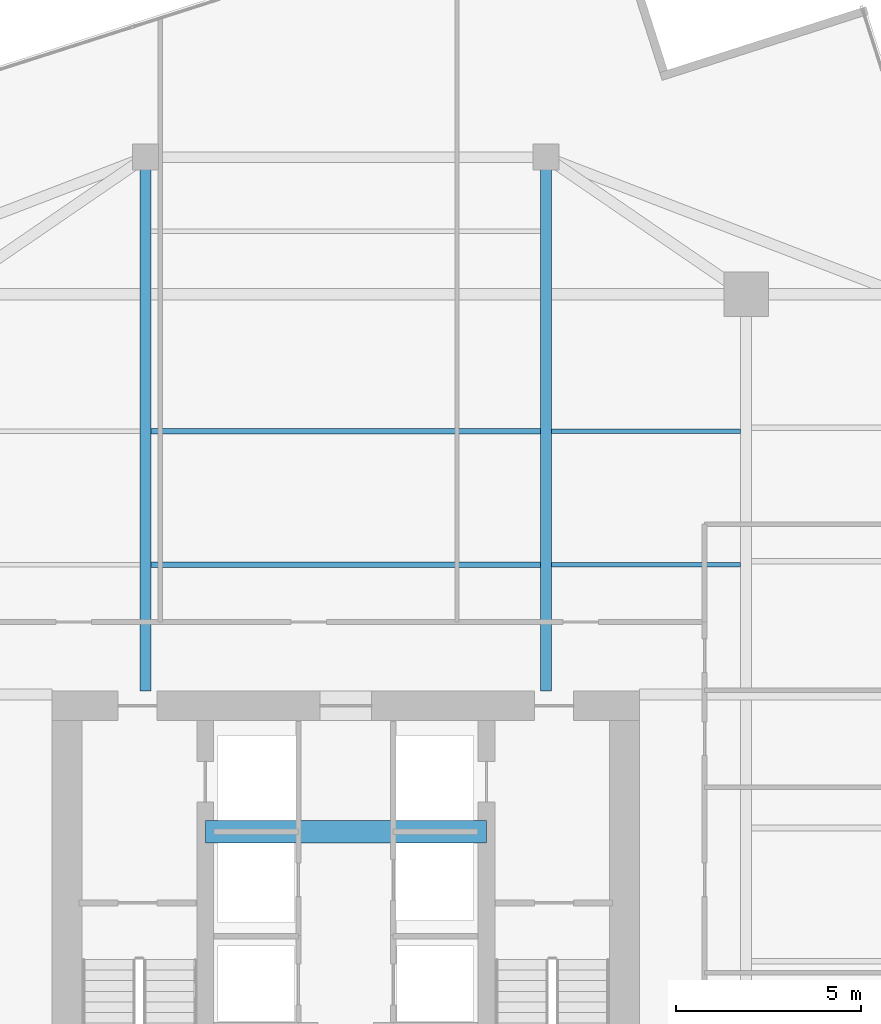
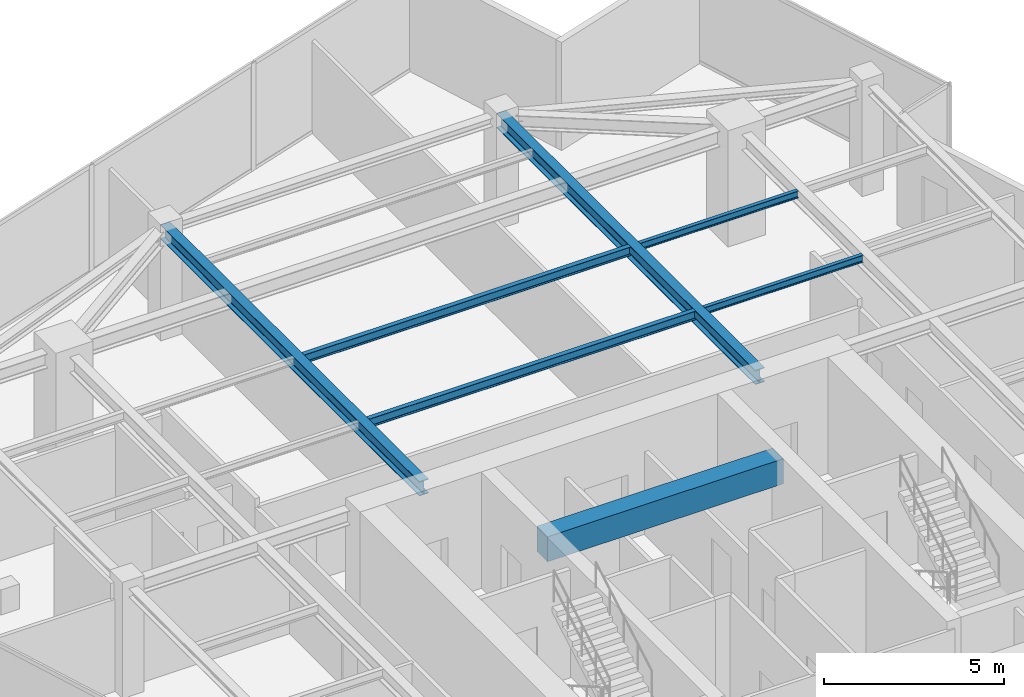
# One storey, part 8 of 21: 7 beams.
"""IFC4 building model written with IfcOpenShell, lengths in metres."""

from ifc_helpers import new_model, si_unit, direction, frame, origin, origin_2d, place, context, subcontext, project, spatial, rectangle, i_section, extrude, source, transform, mapped, material, material_profile, profile_set, type_object, type_shapes, element, save


model = new_model("IFC4")

# Units and contexts
model_context = context("Model", 3, precision=1e-05, world=origin(), true_north=direction((0.0, 1.0)))
body_context = subcontext(model_context, "Body", "Model", "MODEL_VIEW")
ifc_project = project(units=[si_unit("LENGTHUNIT", "METRE"), si_unit("AREAUNIT", "SQUARE_METRE"), si_unit("VOLUMEUNIT", "CUBIC_METRE"), si_unit("PLANEANGLEUNIT", "RADIAN"), si_unit("MASSUNIT", "GRAM", prefix="KILO")], contexts=[model_context])

# Site, building, storey
site_placement = place(None, origin())
site = spatial("IfcSite", under=ifc_project, at=site_placement, CompositionType="ELEMENT")
building_placement = place(site_placement, origin())
building = spatial("IfcBuilding", under=site, at=building_placement, Name="Krantzveldt Concourse Tower", CompositionType="ELEMENT")
storey_placement = place(building_placement, frame((0.0, 0.0, 339.550048828125)))
storey = spatial("IfcBuildingStorey", under=building, at=storey_placement, Name="L83", CompositionType="ELEMENT", Elevation=339.550048828125)

# Beams
ifc_material_1 = material(Name="Steel S355JR", Category="steel")
ifc_material_profile_1 = material_profile(ifc_material_1, i_section(OverallWidth=0.300048828125, OverallDepth=0.489990234375, WebThickness=0.011962890625, FlangeThickness=0.02294921875, FilletRadius=0.027099609375, at=origin_2d()), Name="Steel S355JR", Category="steel")
ifc_profile_set_1 = profile_set([ifc_material_profile_1], Name="Steel S355JR - HEA 500")
beam_type_1 = type_object("IfcBeamType", Name="BM-B-HEA500", PredefinedType="BEAM", material=ifc_profile_set_1)
shared_shape_1 = source(origin(), body_context, "Body", "SweptSolid", [
    extrude(i_section(OverallWidth=0.300048828125, OverallDepth=0.489990234375, WebThickness=0.011962890625, FlangeThickness=0.02294921875, FilletRadius=0.027099609375, at=origin_2d()), origin(), (0.0, 0.0, 1.0), 14.39990234375),
])
type_shapes(beam_type_1, [shared_shape_1])
for number, where, z_axis, x_axis, name in (
    (1, (30.60009765625, 26.800048828125, 3.425048828125), (0.0, 1.0, 0.0), (-1.0, 0.0, 0.0), "L83 Tower Girder BG-CNW"),
    (2, (41.39990234375, 26.800048828125, 3.425048828125), (0.0, 1.0, 0.0), (-1.0, 0.0, 0.0), "L83 Tower Girder BG-CNE"),
):
    element("IfcBeam", number, at=place(storey_placement, frame(where, z_axis=z_axis, x_axis=x_axis)), inside=storey, type_object=beam_type_1, Name=name, PredefinedType="BEAM", context=body_context, shape_type="MappedRepresentation", body=[
        mapped(shared_shape_1, transform((0.0, 0.0, 0.0), x_axis=(1.0, 0.0, 0.0), y_axis=(0.0, 1.0, 0.0), z_axis=(0.0, 0.0, 1.0), scale=1.0)),
    ])
ifc_material_profile_2 = material_profile(ifc_material_1, i_section(OverallWidth=0.14990234375, OverallDepth=0.300048828125, WebThickness=0.007080078125, FlangeThickness=0.0107421875, FilletRadius=0.014892578125, at=origin_2d()), Name="Steel S355JR", Category="steel")
ifc_profile_set_2 = profile_set([ifc_material_profile_2], Name="Steel S355JR - IPE 300")
beam_type_2 = type_object("IfcBeamType", Name="BM-J-IPE300", PredefinedType="JOIST", material=ifc_profile_set_2)
shared_shape_2 = source(origin(), body_context, "Body", "SweptSolid", [
    extrude(i_section(OverallWidth=0.14990234375, OverallDepth=0.300048828125, WebThickness=0.007080078125, FlangeThickness=0.0107421875, FilletRadius=0.014892578125, at=origin_2d()), origin(), (0.0, 0.0, 1.0), 10.5),
])
type_shapes(beam_type_2, [shared_shape_2])
for number, where, z_axis, x_axis, name in (
    (3, (30.75, 30.199951171875, 3.52001953125), (1.0, 0.0, 0.0), (0.0, 1.0, 0.0), "L83 Secondary Floor Joist JN-C1"),
    (4, (30.75, 33.800048828125, 3.52001953125), (1.0, 0.0, 0.0), (0.0, 1.0, 0.0), "L83 Secondary Floor Joist JN-C2"),
):
    element("IfcBeam", number, at=place(storey_placement, frame(where, z_axis=z_axis, x_axis=x_axis)), inside=storey, type_object=beam_type_2, Name=name, PredefinedType="JOIST", context=body_context, shape_type="MappedRepresentation", body=[
        mapped(shared_shape_2, transform((0.0, 0.0, 0.0), x_axis=(1.0, 0.0, 0.0), y_axis=(0.0, 1.0, 0.0), z_axis=(0.0, 0.0, 1.0), scale=1.0)),
    ])
ifc_material_2 = material(Name="Concrete C50/60", Category="concrete")
ifc_material_profile_3 = material_profile(ifc_material_2, rectangle(XDim=0.60009765625, YDim=0.85009765625, at=origin_2d()), Name="Concrete C50/60", Category="concrete")
ifc_profile_set_3 = profile_set([ifc_material_profile_3], Name="Concrete C50/60 - RC-CB 600x850")
beam_type_3 = type_object("IfcBeamType", Name="BM-CB-850", PredefinedType="LINTEL", material=ifc_profile_set_3)
shared_shape_3 = source(origin(), body_context, "Body", "SweptSolid", [
    extrude(rectangle(XDim=0.60009765625, YDim=0.85009765625, at=origin_2d()), origin(), (0.0, 0.0, 1.0), 7.580078125),
])
type_shapes(beam_type_3, [shared_shape_3])
beam_placement = place(storey_placement, frame((32.2099609375, 23.0, 3.244873046875), z_axis=(1.0, 0.0, 0.0), x_axis=(0.0, 1.0, 0.0)))
element("IfcBeam", 5, at=beam_placement, inside=storey, type_object=beam_type_3, Name="CB-L83-01", PredefinedType="LINTEL", context=body_context, shape_type="MappedRepresentation", body=[
    mapped(shared_shape_3, transform((0.0, 0.0, 0.0), x_axis=(1.0, 0.0, 0.0), y_axis=(0.0, 1.0, 0.0), z_axis=(0.0, 0.0, 1.0), scale=1.0)),
])
ifc_material_profile_4 = material_profile(ifc_material_1, i_section(OverallWidth=0.1201171875, OverallDepth=0.239990234375, WebThickness=0.006103515625, FlangeThickness=0.009765625, FilletRadius=0.014892578125, at=origin_2d()), Name="Steel S355JR", Category="steel")
ifc_profile_set_4 = profile_set([ifc_material_profile_4], Name="Steel S355JR - IPE 240")
beam_type_4 = type_object("IfcBeamType", Name="BM-LN-IPE240", PredefinedType="LINTEL", material=ifc_profile_set_4)
shared_shape_4 = source(origin(), body_context, "Body", "SweptSolid", [
    extrude(i_section(OverallWidth=0.1201171875, OverallDepth=0.239990234375, WebThickness=0.006103515625, FlangeThickness=0.009765625, FilletRadius=0.014892578125, at=origin_2d()), origin(), (0.0, 0.0, 1.0), 5.099853515625),
])
type_shapes(beam_type_4, [shared_shape_4])
for number, where, z_axis, x_axis, name in (
    (6, (41.550048828125, 30.199951171875, 3.550048828125), (1.0, 0.0, 0.0), (0.0, 1.0, 0.0), "L83 Secondary Floor Joist JN-E1"),
    (7, (41.550048828125, 33.800048828125, 3.550048828125), (1.0, 0.0, 0.0), (0.0, 1.0, 0.0), "L83 Secondary Floor Joist JN-E2"),
):
    element("IfcBeam", number, at=place(storey_placement, frame(where, z_axis=z_axis, x_axis=x_axis)), inside=storey, type_object=beam_type_4, Name=name, PredefinedType="LINTEL", context=body_context, shape_type="MappedRepresentation", body=[
        mapped(shared_shape_4, transform((0.0, 0.0, 0.0), x_axis=(1.0, 0.0, 0.0), y_axis=(0.0, 1.0, 0.0), z_axis=(0.0, 0.0, 1.0), scale=1.0)),
    ])

save(model, "model.ifc")
